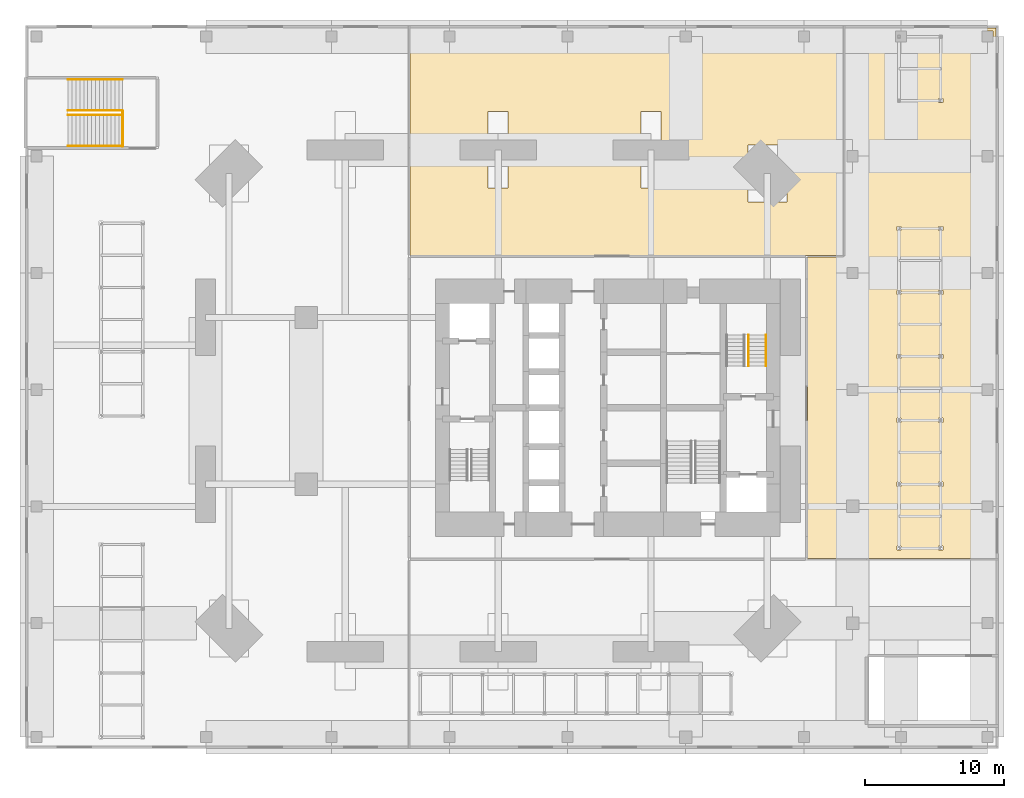
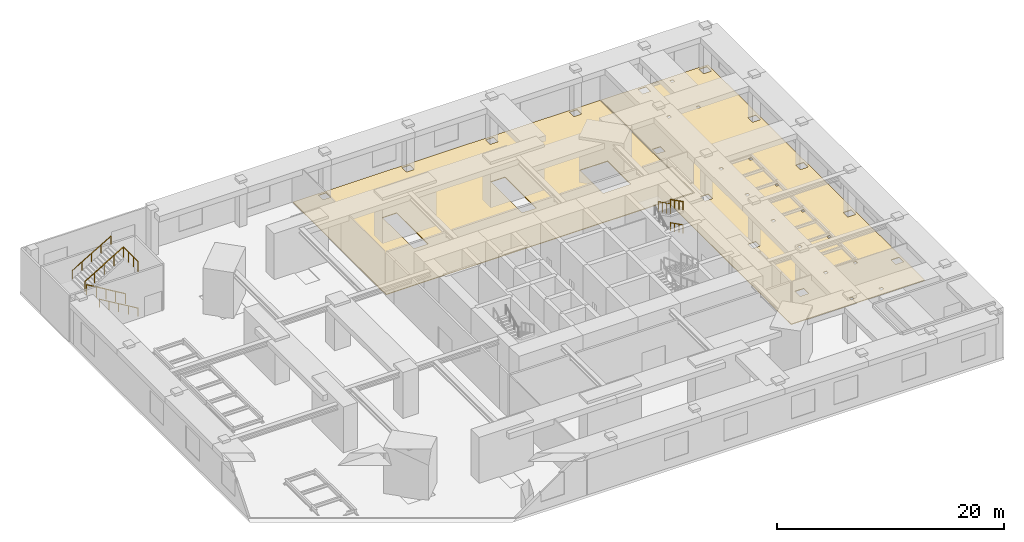
# One storey, part 17 of 17: 8 railings, 2 coverings.
"""IFC4 building model written with IfcOpenShell, lengths in metres."""

from ifc_helpers import new_model, si_unit, direction, frame, origin, origin_2d, place, context, subcontext, project, spatial, polyline, rectangle, circle, outline, extrude, material, layer, layer_set, constituent, constituent_set, type_object, element, save


model = new_model("IFC4")

# Units and contexts
model_context = context("Model", 3, precision=1e-05, world=origin(), true_north=direction((0.0, 1.0)))
body_context = subcontext(model_context, "Body", "Model", "MODEL_VIEW")
ifc_project = project(units=[si_unit("LENGTHUNIT", "METRE"), si_unit("AREAUNIT", "SQUARE_METRE"), si_unit("VOLUMEUNIT", "CUBIC_METRE"), si_unit("PLANEANGLEUNIT", "RADIAN"), si_unit("MASSUNIT", "GRAM", prefix="KILO")], contexts=[model_context])

# Site, building, storey
site_placement = place(None, origin())
site = spatial("IfcSite", under=ifc_project, at=site_placement, CompositionType="ELEMENT")
building_placement = place(site_placement, origin())
building = spatial("IfcBuilding", under=site, at=building_placement, Name="Jalousie Tower", CompositionType="ELEMENT")
storey_placement = place(building_placement, frame((0.0, 0.0, 16.0)))
storey = spatial("IfcBuildingStorey", under=building, at=storey_placement, Name="L03", CompositionType="ELEMENT", Elevation=16.0)

# Coverings
ifc_material_1 = material(Name="Sand-cement screed on resilient layer", Category="concrete")
ifc_layer = layer(ifc_material_1, 0.070068359375)
ifc_layer_set = layer_set([ifc_layer], Name="Sand-cement screed on resilient layer")
covering_type = type_object("IfcCoveringType", Name="FLOATING PLANT SCREED 70", PredefinedType="FLOORING", material=ifc_layer_set)
covering_1_placement = place(storey_placement, origin())
element("IfcCovering", 1, at=covering_1_placement, inside=storey, type_object=covering_type, Name="Floating screed Water tank room", PredefinedType="FLOORING", context=body_context, shape_type="SweptSolid", body=[
    extrude(outline(polyline([(17.64990234375, 45.824951171875), (48.85009765625, 45.824951171875), (48.85009765625, 29.449951171875), (17.64990234375, 29.449951171875), (17.64990234375, 45.824951171875)]), holes=[polyline([(45.60009765625, 45.60009765625), (45.60009765625, 44.800048828125), (46.39990234375, 44.800048828125), (46.39990234375, 45.60009765625), (45.60009765625, 45.60009765625)]), polyline([(41.968505859375, 37.418701171875), (41.968505859375, 33.318603515625), (44.7685546875, 33.318603515625), (44.7685546875, 37.418701171875), (41.968505859375, 37.418701171875)]), polyline([(37.10009765625, 44.800048828125), (37.89990234375, 44.800048828125), (37.89990234375, 45.60009765625), (37.10009765625, 45.60009765625), (37.10009765625, 44.800048828125)]), polyline([(34.27490234375, 39.800048828125), (34.27490234375, 34.300048828125), (35.72509765625, 34.300048828125), (35.72509765625, 39.800048828125), (34.27490234375, 39.800048828125)]), polyline([(28.60009765625, 45.60009765625), (28.60009765625, 44.800048828125), (29.39990234375, 44.800048828125), (29.39990234375, 45.60009765625), (28.60009765625, 45.60009765625)]), polyline([(23.27490234375, 39.800048828125), (23.27490234375, 34.300048828125), (24.72509765625, 34.300048828125), (24.72509765625, 39.800048828125), (23.27490234375, 39.800048828125)]), polyline([(20.10009765625, 44.800048828125), (20.89990234375, 44.800048828125), (20.89990234375, 45.60009765625), (20.10009765625, 45.60009765625), (20.10009765625, 44.800048828125)])]), origin(), (0.0, 0.0, 1.0), 0.070068359375),
])
covering_2_placement = place(storey_placement, origin())
element("IfcCovering", 2, at=covering_2_placement, inside=storey, type_object=covering_type, Name="Floating screed Air handling plant room", PredefinedType="FLOORING", context=body_context, shape_type="SweptSolid", body=[
    extrude(outline(polyline([(46.25, 29.35009765625), (48.949951171875, 29.35009765625), (48.949951171875, 45.824951171875), (59.824951171875, 45.824951171875), (59.824951171875, 7.64990234375), (46.25, 7.64990234375), (46.25, 29.35009765625)]), holes=[polyline([(58.800048828125, 11.800048828125), (58.800048828125, 11.0), (59.60009765625, 11.0), (59.60009765625, 11.800048828125), (58.800048828125, 11.800048828125)]), polyline([(58.800048828125, 20.199951171875), (58.800048828125, 19.39990234375), (59.60009765625, 19.39990234375), (59.60009765625, 20.199951171875), (58.800048828125, 20.199951171875)]), polyline([(58.800048828125, 27.800048828125), (59.60009765625, 27.800048828125), (59.60009765625, 28.60009765625), (58.800048828125, 28.60009765625), (58.800048828125, 27.800048828125)]), polyline([(58.800048828125, 37.0), (58.800048828125, 36.199951171875), (59.60009765625, 36.199951171875), (59.60009765625, 37.0), (58.800048828125, 37.0)]), polyline([(58.800048828125, 45.60009765625), (58.800048828125, 44.800048828125), (59.60009765625, 44.800048828125), (59.60009765625, 45.60009765625), (58.800048828125, 45.60009765625)]), polyline([(52.60009765625, 45.60009765625), (52.60009765625, 44.800048828125), (53.39990234375, 44.800048828125), (53.39990234375, 45.60009765625), (52.60009765625, 45.60009765625)]), polyline([(49.050048828125, 11.85009765625), (49.050048828125, 10.949951171875), (49.949951171875, 10.949951171875), (49.949951171875, 11.85009765625), (49.050048828125, 11.85009765625)]), polyline([(49.10009765625, 20.199951171875), (49.10009765625, 19.39990234375), (49.89990234375, 19.39990234375), (49.89990234375, 20.199951171875), (49.10009765625, 20.199951171875)]), polyline([(49.10009765625, 28.60009765625), (49.10009765625, 27.800048828125), (49.89990234375, 27.800048828125), (49.89990234375, 28.60009765625), (49.10009765625, 28.60009765625)]), polyline([(49.10009765625, 37.0), (49.10009765625, 36.199951171875), (49.89990234375, 36.199951171875), (49.89990234375, 37.0), (49.10009765625, 37.0)]), polyline([(52.699951171875, 8.25), (53.0, 8.25), (53.0, 8.550048828125), (52.699951171875, 8.550048828125), (52.699951171875, 8.25)]), polyline([(55.699951171875, 8.25), (56.0, 8.25), (56.0, 8.550048828125), (55.699951171875, 8.550048828125), (55.699951171875, 8.25)]), polyline([(52.699951171875, 12.85009765625), (53.0, 12.85009765625), (53.0, 13.14990234375), (52.699951171875, 13.14990234375), (52.699951171875, 12.85009765625)]), polyline([(55.699951171875, 12.85009765625), (56.0, 12.85009765625), (56.0, 13.14990234375), (55.699951171875, 13.14990234375), (55.699951171875, 12.85009765625)]), polyline([(52.699951171875, 17.449951171875), (53.0, 17.449951171875), (53.0, 17.75), (52.699951171875, 17.75), (52.699951171875, 17.449951171875)]), polyline([(55.699951171875, 17.449951171875), (56.0, 17.449951171875), (56.0, 17.75), (55.699951171875, 17.75), (55.699951171875, 17.449951171875)]), polyline([(52.699951171875, 22.050048828125), (53.0, 22.050048828125), (53.0, 22.35009765625), (52.699951171875, 22.35009765625), (52.699951171875, 22.050048828125)]), polyline([(55.699951171875, 22.050048828125), (56.0, 22.050048828125), (56.0, 22.35009765625), (55.699951171875, 22.35009765625), (55.699951171875, 22.050048828125)]), polyline([(52.699951171875, 26.64990234375), (53.0, 26.64990234375), (53.0, 26.949951171875), (52.699951171875, 26.949951171875), (52.699951171875, 26.64990234375)]), polyline([(55.699951171875, 26.64990234375), (56.0, 26.64990234375), (56.0, 26.949951171875), (55.699951171875, 26.949951171875), (55.699951171875, 26.64990234375)]), polyline([(52.699951171875, 31.25), (53.0, 31.25), (53.0, 31.550048828125), (52.699951171875, 31.550048828125), (52.699951171875, 31.25)]), polyline([(55.699951171875, 31.25), (56.0, 31.25), (56.0, 31.550048828125), (55.699951171875, 31.550048828125), (55.699951171875, 31.25)]), polyline([(52.699951171875, 40.449951171875), (53.0, 40.449951171875), (53.0, 40.75), (52.699951171875, 40.75), (52.699951171875, 40.449951171875)]), polyline([(55.699951171875, 40.449951171875), (56.0, 40.449951171875), (56.0, 40.75), (55.699951171875, 40.75), (55.699951171875, 40.449951171875)]), polyline([(55.699951171875, 45.050048828125), (56.0, 45.050048828125), (56.0, 45.35009765625), (55.699951171875, 45.35009765625), (55.699951171875, 45.050048828125)])]), origin(), (0.0, 0.0, 1.0), 0.070068359375),
])

# Railings
ifc_material_2 = material(Name="Steel ASTM A500 Grade C", Category="steel")
ifc_constituent_1 = constituent(ifc_material_2, Name="Body")
ifc_material_3 = material(Name="Hot-dip galvanised zinc coating")
ifc_constituent_2 = constituent(ifc_material_3, Name="Finish")
ifc_constituent_set_1 = constituent_set(constituents=[ifc_constituent_1, ifc_constituent_2])
railing_type_1 = type_object("IfcRailingType", Name="STAIR GUARD 1100", PredefinedType="GUARDRAIL", material=ifc_constituent_set_1)
railing_1_placement = place(storey_placement, frame((42.017578125, 23.742431640625, 3.888916015625)))
element("IfcRailing", 3, at=railing_1_placement, inside=storey, type_object=railing_type_1, Name="Exit stair B guard L03 flight 4", PredefinedType="GUARDRAIL", context=body_context, shape_type="SweptSolid", body=[
    extrude(rectangle(XDim=0.048095703125, YDim=0.048095703125, at=origin_2d()), frame((0.0, 0.0, 1.076171875), z_axis=(0.0, -0.895848192791, 0.444360231651), x_axis=(1.0, 0.0, 0.0)), (0.0, 0.0, 1.0), 2.50048828125),
    extrude(circle(Radius=0.02099609375, at=origin_2d()), origin(), (0.0, 0.0, 1.0), 1.052001953125),
    extrude(circle(Radius=0.02099609375, at=origin_2d()), frame((0.0, -0.74658203125, 0.370361328125)), (0.0, 0.0, 1.0), 1.052001953125),
    extrude(circle(Radius=0.02099609375, at=origin_2d()), frame((0.0, -1.493408203125, 0.74072265625)), (0.0, 0.0, 1.0), 1.052001953125),
    extrude(circle(Radius=0.02099609375, at=origin_2d()), frame((0.0, -2.239990234375, 1.111083984375)), (0.0, 0.0, 1.0), 1.052001953125),
])
railing_2_placement = place(storey_placement, frame((-3.010009765625, 37.300048828125, 5.0)))
element("IfcRailing", 4, at=railing_2_placement, inside=storey, type_object=railing_type_1, Name="Exit stair PS1 top landing guard", PredefinedType="GUARDRAIL", context=body_context, shape_type="SweptSolid", body=[
    extrude(rectangle(XDim=0.048095703125, YDim=0.048095703125, at=origin_2d()), frame((0.0, 0.0, 1.076171875), z_axis=(0.0, 1.0, 0.0), x_axis=(-1.0, 0.0, 0.0)), (0.0, 0.0, 1.0), 2.550048828125),
    extrude(circle(Radius=0.02099609375, at=origin_2d()), origin(), (0.0, 0.0, 1.0), 1.052001953125),
    extrude(circle(Radius=0.02099609375, at=origin_2d()), frame((0.0, 0.85009765625, 0.0)), (0.0, 0.0, 1.0), 1.052001953125),
    extrude(circle(Radius=0.02099609375, at=origin_2d()), frame((0.0, 1.699951171875, 0.0)), (0.0, 0.0, 1.0), 1.052001953125),
    extrude(circle(Radius=0.02099609375, at=origin_2d()), frame((0.0, 2.550048828125, 0.0)), (0.0, 0.0, 1.0), 1.052001953125),
])
railing_3_placement = place(storey_placement, frame((-3.010009765625, 39.570068359375, 0.166748046875)))
element("IfcRailing", 5, at=railing_3_placement, inside=storey, type_object=railing_type_1, Name="Exit stair PS1 guard L03 flight 1", PredefinedType="GUARDRAIL", context=body_context, shape_type="SweptSolid", body=[
    extrude(rectangle(XDim=0.048095703125, YDim=0.048095703125, at=origin_2d()), frame((0.0, 0.0, 1.076171875), z_axis=(-0.859296244711, 0.0, 0.511478214419), x_axis=(0.0, -1.0, 0.0)), (0.0, 0.0, 1.0), 4.561767578125),
    extrude(circle(Radius=0.02099609375, at=origin_2d()), origin(), (0.0, 0.0, 1.0), 1.052001953125),
    extrude(circle(Radius=0.02099609375, at=origin_2d()), frame((-0.97998046875, 0.0, 0.583251953125)), (0.0, 0.0, 1.0), 1.052001953125),
    extrude(circle(Radius=0.02099609375, at=origin_2d()), frame((-1.9599609375, 0.0, 1.16650390625)), (0.0, 0.0, 1.0), 1.052001953125),
    extrude(circle(Radius=0.02099609375, at=origin_2d()), frame((-2.93994140625, 0.0, 1.75)), (0.0, 0.0, 1.0), 1.052001953125),
    extrude(circle(Radius=0.02099609375, at=origin_2d()), frame((-3.919921875, 0.0, 2.333251953125)), (0.0, 0.0, 1.0), 1.052001953125),
])
railing_4_placement = place(storey_placement, frame((-6.929931640625, 39.8798828125, 2.666748046875)))
element("IfcRailing", 6, at=railing_4_placement, inside=storey, type_object=railing_type_1, Name="Exit stair PS1 guard L03 flight 2", PredefinedType="GUARDRAIL", context=body_context, shape_type="SweptSolid", body=[
    extrude(rectangle(XDim=0.048095703125, YDim=0.048095703125, at=origin_2d()), frame((0.0, 0.0, 1.076171875), z_axis=(0.859296244711, 0.0, 0.511478214419), x_axis=(0.0, 1.0, 0.0)), (0.0, 0.0, 1.0), 4.561767578125),
    extrude(circle(Radius=0.02099609375, at=origin_2d()), origin(), (0.0, 0.0, 1.0), 1.052001953125),
    extrude(circle(Radius=0.02099609375, at=origin_2d()), frame((0.97998046875, 0.0, 0.583251953125)), (0.0, 0.0, 1.0), 1.052001953125),
    extrude(circle(Radius=0.02099609375, at=origin_2d()), frame((1.9599609375, 0.0, 1.16650390625)), (0.0, 0.0, 1.0), 1.052001953125),
    extrude(circle(Radius=0.02099609375, at=origin_2d()), frame((2.93994140625, 0.0, 1.75)), (0.0, 0.0, 1.0), 1.052001953125),
    extrude(circle(Radius=0.02099609375, at=origin_2d()), frame((3.919921875, 0.0, 2.333251953125)), (0.0, 0.0, 1.0), 1.052001953125),
])
ifc_material_4 = material(Name="Steel ASTM A500 Grade C", Category="steel")
ifc_constituent_3 = constituent(ifc_material_4, Name="Body")
ifc_material_5 = material(Name="Hot-dip galvanised zinc coating")
ifc_constituent_4 = constituent(ifc_material_5, Name="Finish")
ifc_constituent_set_2 = constituent_set(constituents=[ifc_constituent_3, ifc_constituent_4])
railing_type_2 = type_object("IfcRailingType", Name="STAIR HANDRAIL 900", PredefinedType="HANDRAIL", material=ifc_constituent_set_2)
for number, where, name in (
    (7, (43.27001953125, 23.742431640625, 1.388916015625), "Exit stair B handrail L03 flight 2"),
    (8, (43.27001953125, 23.742431640625, 3.888916015625), "Exit stair B handrail L03 flight 4"),
):
    element("IfcRailing", number, at=place(storey_placement, frame(where)), inside=storey, type_object=railing_type_2, Name=name, PredefinedType="HANDRAIL", context=body_context, shape_type="SweptSolid", body=[
        extrude(circle(Radius=0.02392578125, at=origin_2d()), frame((0.0, 0.0, 0.8759765625), z_axis=(0.0, -0.895848192791, 0.444360231651), x_axis=(1.0, 0.0, 0.0)), (0.0, 0.0, 1.0), 2.50048828125),
        extrude(circle(Radius=0.02099609375, at=origin_2d()), origin(), (0.0, 0.0, 1.0), 0.851806640625),
        extrude(circle(Radius=0.02099609375, at=origin_2d()), frame((0.0, -0.74658203125, 0.370361328125)), (0.0, 0.0, 1.0), 0.851806640625),
        extrude(circle(Radius=0.02099609375, at=origin_2d()), frame((0.0, -1.493408203125, 0.74072265625)), (0.0, 0.0, 1.0), 0.851806640625),
        extrude(circle(Radius=0.02099609375, at=origin_2d()), frame((0.0, -2.239990234375, 1.111083984375)), (0.0, 0.0, 1.0), 0.851806640625),
    ])
railing_5_placement = place(storey_placement, frame((-3.010009765625, 37.330078125, 0.166748046875)))
element("IfcRailing", 9, at=railing_5_placement, inside=storey, type_object=railing_type_2, Name="Exit stair PS1 handrail L03 flight 1", PredefinedType="HANDRAIL", context=body_context, shape_type="SweptSolid", body=[
    extrude(circle(Radius=0.02392578125, at=origin_2d()), frame((0.0, 0.0, 0.8759765625), z_axis=(-0.859296244711, 0.0, 0.511478214419), x_axis=(0.0, -1.0, 0.0)), (0.0, 0.0, 1.0), 4.561767578125),
    extrude(circle(Radius=0.02099609375, at=origin_2d()), origin(), (0.0, 0.0, 1.0), 0.851806640625),
    extrude(circle(Radius=0.02099609375, at=origin_2d()), frame((-0.97998046875, 0.0, 0.583251953125)), (0.0, 0.0, 1.0), 0.851806640625),
    extrude(circle(Radius=0.02099609375, at=origin_2d()), frame((-1.9599609375, 0.0, 1.16650390625)), (0.0, 0.0, 1.0), 0.851806640625),
    extrude(circle(Radius=0.02099609375, at=origin_2d()), frame((-2.93994140625, 0.0, 1.75)), (0.0, 0.0, 1.0), 0.851806640625),
    extrude(circle(Radius=0.02099609375, at=origin_2d()), frame((-3.919921875, 0.0, 2.333251953125)), (0.0, 0.0, 1.0), 0.851806640625),
])
railing_6_placement = place(storey_placement, frame((-6.929931640625, 42.1201171875, 2.666748046875)))
element("IfcRailing", 10, at=railing_6_placement, inside=storey, type_object=railing_type_2, Name="Exit stair PS1 handrail L03 flight 2", PredefinedType="HANDRAIL", context=body_context, shape_type="SweptSolid", body=[
    extrude(circle(Radius=0.02392578125, at=origin_2d()), frame((0.0, 0.0, 0.8759765625), z_axis=(0.859296244711, 0.0, 0.511478214419), x_axis=(0.0, 1.0, 0.0)), (0.0, 0.0, 1.0), 4.561767578125),
    extrude(circle(Radius=0.02099609375, at=origin_2d()), origin(), (0.0, 0.0, 1.0), 0.851806640625),
    extrude(circle(Radius=0.02099609375, at=origin_2d()), frame((0.97998046875, 0.0, 0.583251953125)), (0.0, 0.0, 1.0), 0.851806640625),
    extrude(circle(Radius=0.02099609375, at=origin_2d()), frame((1.9599609375, 0.0, 1.16650390625)), (0.0, 0.0, 1.0), 0.851806640625),
    extrude(circle(Radius=0.02099609375, at=origin_2d()), frame((2.93994140625, 0.0, 1.75)), (0.0, 0.0, 1.0), 0.851806640625),
    extrude(circle(Radius=0.02099609375, at=origin_2d()), frame((3.919921875, 0.0, 2.333251953125)), (0.0, 0.0, 1.0), 0.851806640625),
])

save(model, "model.ifc")
